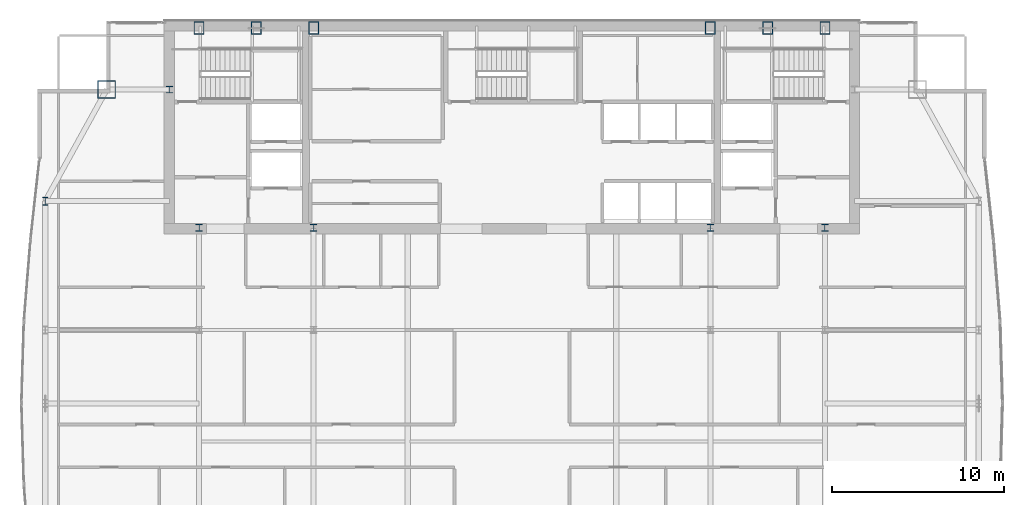
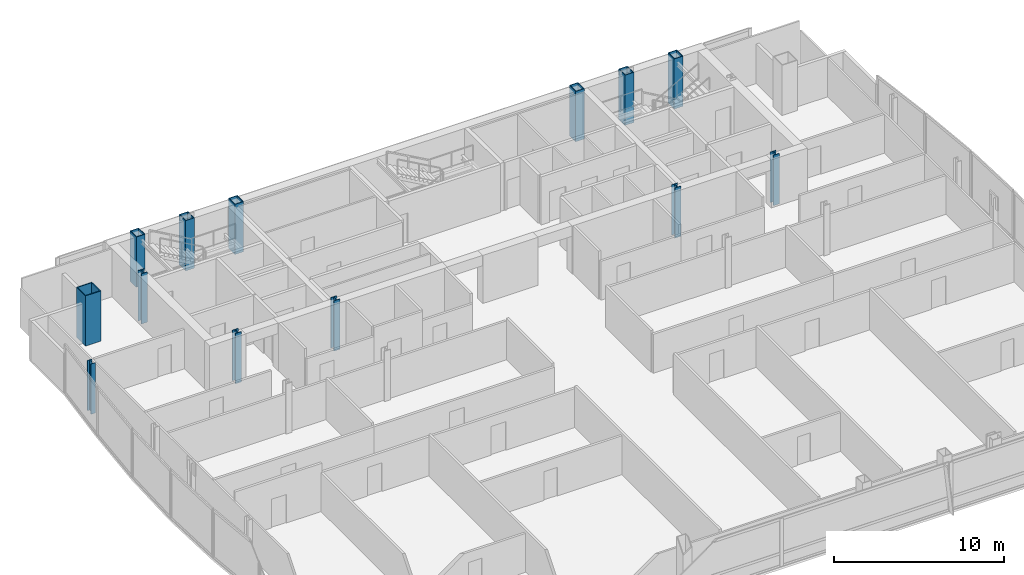
# One storey, part 3 of 29: 13 columns.
"""IFC4 building model written with IfcOpenShell, lengths in metres."""

from ifc_helpers import new_model, si_unit, direction, frame, origin, origin_2d, place, context, subcontext, project, spatial, hollow_rectangle, i_section, extrude, material, material_profile, profile_set, type_object, element, save


model = new_model("IFC4")

# Units and contexts
model_context = context("Model", 3, precision=1e-05, world=origin(), true_north=direction((0.0, 1.0)))
body_context = subcontext(model_context, "Body", "Model", "MODEL_VIEW")
ifc_project = project(units=[si_unit("LENGTHUNIT", "METRE"), si_unit("AREAUNIT", "SQUARE_METRE"), si_unit("VOLUMEUNIT", "CUBIC_METRE"), si_unit("PLANEANGLEUNIT", "RADIAN"), si_unit("MASSUNIT", "GRAM", prefix="KILO")], contexts=[model_context])

# Site, building, storey
site_placement = place(None, origin())
site = spatial("IfcSite", under=ifc_project, at=site_placement, CompositionType="ELEMENT")
building_placement = place(site_placement, origin())
building = spatial("IfcBuilding", under=site, at=building_placement, Name="Khoronbel Lancet Exchange", CompositionType="ELEMENT")
storey_placement = place(building_placement, frame((0.0, 0.0, 246.199951171875)))
storey = spatial("IfcBuildingStorey", under=building, at=storey_placement, Name="L63", CompositionType="ELEMENT", Elevation=246.199951171875)

# Columns
ifc_material_1 = material(Name="Steel S460", Category="steel")
ifc_material_profile_1 = material_profile(ifc_material_1, hollow_rectangle(XDim=0.60009765625, YDim=0.75, WallThickness=0.044921875, at=origin_2d()), Name="BOX 750x600x45")
ifc_profile_set_1 = profile_set([ifc_material_profile_1], Name="Steel S460")
column_type_1 = type_object("IfcColumnType", Name="COL-EC3", PredefinedType="COLUMN", material=ifc_profile_set_1)
for number, where, z_axis, x_axis, name in (
    (1, (18.22509765625, 53.280029296875, 0.0), (0.0, 0.0, 1.0), (1.0, 0.0, 0.0), "Structural column NC-W1 L63"),
    (2, (21.5625, 53.280029296875, 0.0), (0.0, 0.0, 1.0), (1.0, 0.0, 0.0), "Structural column NC-WM L63"),
    (3, (24.89990234375, 53.280029296875, 0.0), (0.0, 0.0, 1.0), (1.0, 0.0, 0.0), "Structural column NC-W2 L63"),
    (4, (48.0, 53.280029296875, 0.0), (0.0, 0.0, 1.0), (1.0, 0.0, 0.0), "Structural column NC-E1 L63"),
    (5, (51.33740234375, 53.280029296875, 0.0), (0.0, 0.0, 1.0), (1.0, 0.0, 0.0), "Structural column NC-EM L63"),
    (6, (54.675048828125, 53.280029296875, 0.0), (0.0, 0.0, 1.0), (1.0, 0.0, 0.0), "Structural column NC-E2 L63"),
):
    element("IfcColumn", number, at=place(storey_placement, frame(where, z_axis=z_axis, x_axis=x_axis)), inside=storey, type_object=column_type_1, Name=name, PredefinedType="COLUMN", context=body_context, shape_type="SweptSolid", body=[
        extrude(hollow_rectangle(XDim=0.60009765625, YDim=0.75, WallThickness=0.044921875, at=origin_2d()), origin(), (0.0, 0.0, 1.0), 3.60009765625),
    ])
ifc_material_2 = material(Name="Steel S355", Category="steel")
ifc_material_profile_2 = material_profile(ifc_material_2, i_section(OverallWidth=0.406005859375, OverallDepth=0.416015625, WebThickness=0.02978515625, FlangeThickness=0.048095703125, at=origin_2d()), Name="HD 400x382")
ifc_profile_set_2 = profile_set([ifc_material_profile_2], Name="Steel S355")
column_type_2 = type_object("IfcColumnType", Name="COL-IC3", PredefinedType="COLUMN", material=ifc_profile_set_2)
for number, where, z_axis, x_axis, name in (
    (7, (16.5, 49.699951171875, 0.0), (0.0, 0.0, 1.0), (1.0, 0.0, 0.0), "Core-flank plumb transfer column CFW L63"),
    (8, (18.22509765625, 41.64990234375, 0.0), (0.0, 0.0, 1.0), (1.0, 0.0, 0.0), "Core-embedded steel column CTC1 L63"),
    (9, (24.89990234375, 41.64990234375, 0.0), (0.0, 0.0, 1.0), (1.0, 0.0, 0.0), "Core-embedded steel column CTC2 L63"),
    (10, (48.0, 41.64990234375, 0.0), (0.0, 0.0, 1.0), (1.0, 0.0, 0.0), "Core-embedded steel column CTC3 L63"),
    (11, (54.675048828125, 41.64990234375, 0.0), (0.0, 0.0, 1.0), (1.0, 0.0, 0.0), "Core-embedded steel column CTC4 L63"),
):
    element("IfcColumn", number, at=place(storey_placement, frame(where, z_axis=z_axis, x_axis=x_axis)), inside=storey, type_object=column_type_2, Name=name, PredefinedType="COLUMN", context=body_context, shape_type="SweptSolid", body=[
        extrude(i_section(OverallWidth=0.406005859375, OverallDepth=0.416015625, WebThickness=0.02978515625, FlangeThickness=0.048095703125, at=origin_2d()), origin(), (0.0, 0.0, 1.0), 3.60009765625),
    ])
ifc_material_profile_3 = material_profile(ifc_material_2, i_section(OverallWidth=0.300048828125, OverallDepth=0.449951171875, WebThickness=0.013916015625, FlangeThickness=0.02587890625, at=origin_2d()), Name="HEB 450")
ifc_profile_set_3 = profile_set([ifc_material_profile_3], Name="Steel S355")
column_type_3 = type_object("IfcColumnType", Name="COL-LC2", PredefinedType="COLUMN", material=ifc_profile_set_3)
column_1_placement = place(storey_placement, frame((9.27001953125, 43.199951171875, 0.0), z_axis=(0.0, 0.0, 1.0), x_axis=(1.0, 0.0, 0.0)))
element("IfcColumn", 12, at=column_1_placement, inside=storey, type_object=column_type_3, Name="Structural column WC-4 L63", PredefinedType="COLUMN", context=body_context, shape_type="SweptSolid", body=[
    extrude(i_section(OverallWidth=0.300048828125, OverallDepth=0.449951171875, WebThickness=0.013916015625, FlangeThickness=0.02587890625, at=origin_2d()), origin(), (0.0, 0.0, 1.0), 3.60009765625),
])
ifc_material_profile_4 = material_profile(ifc_material_1, hollow_rectangle(XDim=1.050048828125, YDim=1.050048828125, WallThickness=0.054931640625, at=origin_2d()), Name="BOX 1050x1050x55")
ifc_profile_set_4 = profile_set([ifc_material_profile_4], Name="Steel S460")
column_type_4 = type_object("IfcColumnType", Name="COL-MC6", PredefinedType="COLUMN", material=ifc_profile_set_4)
column_2_placement = place(storey_placement, frame((12.85009765625, 49.699951171875, 0.0), z_axis=(0.0, 0.0, 1.0), x_axis=(1.0, 0.0, 0.0)))
element("IfcColumn", 13, at=column_2_placement, inside=storey, type_object=column_type_4, Name="Structural column MC-NW L63", PredefinedType="COLUMN", context=body_context, shape_type="SweptSolid", body=[
    extrude(hollow_rectangle(XDim=1.050048828125, YDim=1.050048828125, WallThickness=0.054931640625, at=origin_2d()), origin(), (0.0, 0.0, 1.0), 3.60009765625),
])

save(model, "model.ifc")
